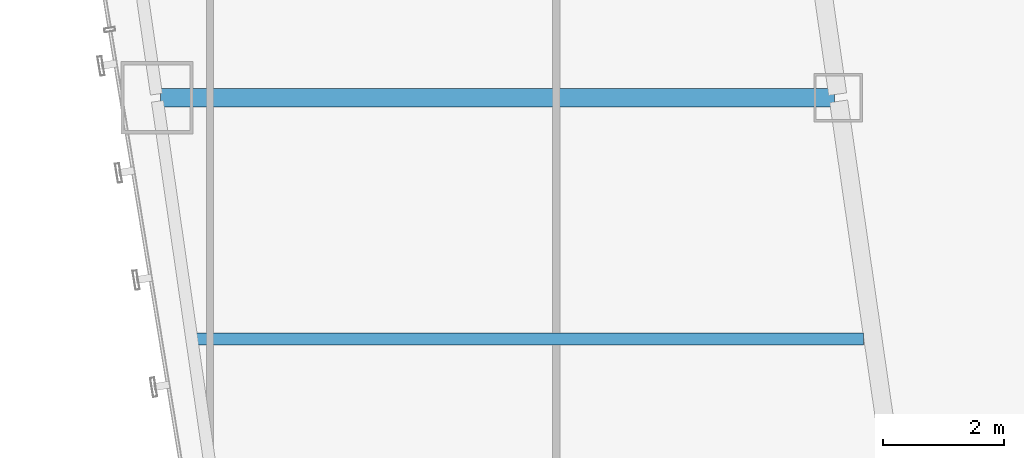
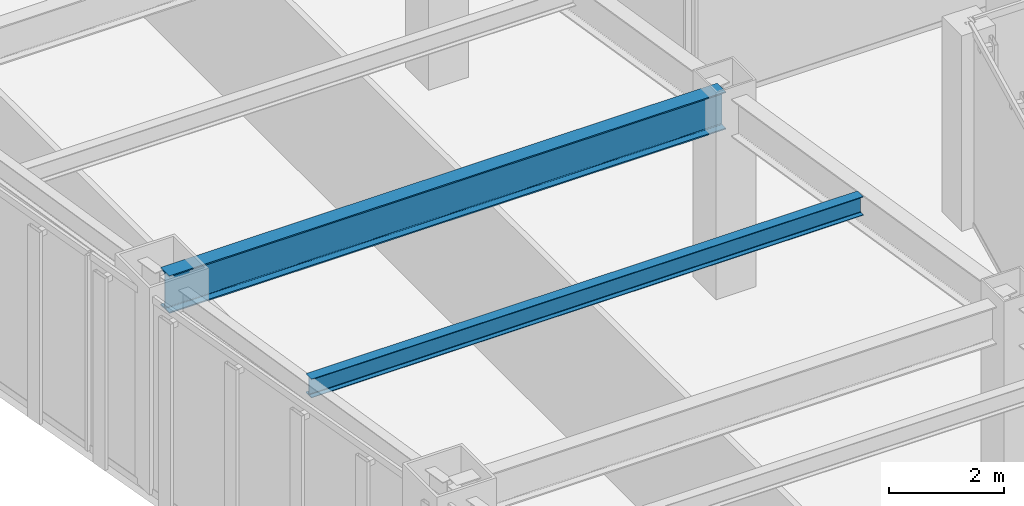
# One storey, part 6 of 47: 2 beams.
"""IFC4 building model written with IfcOpenShell, lengths in metres."""

import ifcopenshell
import ifcopenshell.guid

model = None  # the IFC model being written
_history = None  # IfcOwnerHistory: only IFC2X3 demands one
_inside = {}  # id of a spatial element -> (the spatial element, [elements in it])
_under = {}  # id of a project, library or spatial element -> (it, [spatial elements below it])
_declared = {}  # id of a project -> (the project, [libraries it declares])
_typed = {}  # id of a type object -> (the type object, [elements of that type])
_made_of = {}  # id of a material, layer set ... -> (it, [elements and type objects made of it])


def new_model(schema):
    """Start an empty IFC model of exactly this schema.

    Asked for "IFC4X3", IfcOpenShell would pick the latest addendum, in which some entities
    have other attributes; the version numbers below select the first issue.
    IFC2X3 requires an IfcOwnerHistory on every rooted entity: one is made here for all.
    """
    global model, _history
    if schema == "IFC4X3":
        model = ifcopenshell.file(schema_version=(4, 3, 0, 0))
    else:
        model = ifcopenshell.file(schema=schema)
    _inside.clear()
    _under.clear()
    _declared.clear()
    _typed.clear()
    _made_of.clear()
    _history = None
    if model.schema == "IFC2X3":
        org = make("IfcOrganization", Name="unknown")
        user = make(
            "IfcPersonAndOrganization",
            ThePerson=make("IfcPerson", FamilyName="unknown"),
            TheOrganization=org,
        )
        app = make(
            "IfcApplication",
            ApplicationDeveloper=org,
            Version="unknown",
            ApplicationFullName="unknown",
            ApplicationIdentifier="unknown",
        )
        _history = make(
            "IfcOwnerHistory",
            OwningUser=user,
            OwningApplication=app,
            ChangeAction="ADDED",
            CreationDate=0,
        )
    return model


def make(cls, **values):
    """One entity of the class cls with the attributes given. An attribute that is None is left unset."""
    return model.create_entity(
        cls, **{name: value for name, value in values.items() if value is not None}
    )


def rooted(cls, **values):
    """An entity with a GlobalId (a new one), such as an element, a storey or a relation."""
    return make(cls, GlobalId=ifcopenshell.guid.new(), OwnerHistory=_history, **values)


def si_unit(unit_type, name, prefix=None):
    """IfcSIUnit, for example si_unit("LENGTHUNIT", "METRE", prefix="MILLI")."""
    return make("IfcSIUnit", UnitType=unit_type, Prefix=prefix, Name=name)


def assignment(units):
    """IfcUnitAssignment: the units of a project."""
    return None if units is None else make("IfcUnitAssignment", Units=units)


def point(xyz):
    """IfcCartesianPoint."""
    return None if xyz is None else make("IfcCartesianPoint", Coordinates=xyz)


def direction(xyz):
    """IfcDirection."""
    return None if xyz is None else make("IfcDirection", DirectionRatios=xyz)


def frame(location, z_axis=None, x_axis=None):
    """IfcAxis2Placement3D, a coordinate frame: its origin and axes. An axis left out is left unset."""
    return make(
        "IfcAxis2Placement3D",
        Location=point(location),
        Axis=direction(z_axis),
        RefDirection=direction(x_axis),
    )


def frame_2d(location, x_axis=None):
    """IfcAxis2Placement2D, a coordinate frame in the plane: its origin and x axis."""
    return make(
        "IfcAxis2Placement2D", Location=point(location), RefDirection=direction(x_axis)
    )


def origin():
    """The frame at (0, 0, 0) with its axes left unset."""
    return frame((0.0, 0.0, 0.0))


def origin_2d():
    """The frame at (0, 0) in the plane with its x axis left unset."""
    return frame_2d((0.0, 0.0))


def place(relative_to, where):
    """IfcLocalPlacement: puts the frame where relative to a parent placement (None: the world)."""
    return make(
        "IfcLocalPlacement", PlacementRelTo=relative_to, RelativePlacement=where
    )


def context(
    kind, dimensions, precision=None, world=None, true_north=None, identifier=None
):
    """IfcGeometricRepresentationContext, for example the 3D "Model" context."""
    return make(
        "IfcGeometricRepresentationContext",
        ContextIdentifier=identifier,
        ContextType=kind,
        CoordinateSpaceDimension=dimensions,
        Precision=precision,
        WorldCoordinateSystem=world,
        TrueNorth=true_north,
    )


def subcontext(parent, identifier, kind, view, scale=None):
    """IfcGeometricRepresentationSubContext, for example "Body" below "Model"."""
    return make(
        "IfcGeometricRepresentationSubContext",
        ContextIdentifier=identifier,
        ContextType=kind,
        ParentContext=parent,
        TargetScale=scale,
        TargetView=view,
    )


def project(units=None, contexts=None):
    """IfcProject with its units and contexts."""
    return rooted(
        "IfcProject",
        Name="project",
        RepresentationContexts=contexts,
        UnitsInContext=assignment(units),
    )


def spatial(cls, under=None, at=None, **own):
    """A site, building, storey or space (cls), placed at a placement, below another one or the project."""
    s = rooted(cls, ObjectPlacement=at, **own)
    if under is not None:
        _under.setdefault(under.id(), (under, []))[1].append(s)
    return s


def profile(cls, at=None, kind="AREA", **sizes):
    """A parametric profile (cls). Its sizes go by their IFC names, for example OverallWidth=200.0."""
    return make(cls, ProfileType=kind, Position=at, **sizes)


def i_section(**sizes):
    """IfcIShapeProfileDef."""
    return profile("IfcIShapeProfileDef", **sizes)


def extrude(swept, where, along, depth):
    """IfcExtrudedAreaSolid: the profile swept, set in the frame where, extruded along a direction by depth."""
    return make(
        "IfcExtrudedAreaSolid",
        SweptArea=swept,
        Position=where,
        ExtrudedDirection=direction(along),
        Depth=depth,
    )


def shape(context_of_items, identifier, shape_type, items):
    """IfcShapeRepresentation: the items that make up one representation, for example the "Body"."""
    return make(
        "IfcShapeRepresentation",
        ContextOfItems=context_of_items,
        RepresentationIdentifier=identifier,
        RepresentationType=shape_type,
        Items=items,
    )


def material(Name=None, Category=None):
    """IfcMaterial."""
    return make("IfcMaterial", Name=Name, Category=Category)


def material_profile(
    of_material, cross_section, Name=None, Category=None, Priority=None
):
    """IfcMaterialProfile: a cross section and its material."""
    return make(
        "IfcMaterialProfile",
        Name=Name,
        Material=of_material,
        Profile=cross_section,
        Priority=Priority,
        Category=Category,
    )


def profile_set(profiles, Name=None, composite=None):
    """IfcMaterialProfileSet."""
    return make(
        "IfcMaterialProfileSet",
        Name=Name,
        MaterialProfiles=profiles,
        CompositeProfile=composite,
    )


def made_of(thing, what):
    """Note that an element or type object is made of a material, layer set ...; save() writes the relation."""
    if what is not None:
        _made_of.setdefault(what.id(), (what, []))[1].append(thing)
    return thing


def type_object(cls, material=None, **own):
    """A type object (cls), such as IfcWallType, which elements share."""
    return made_of(rooted(cls, **own), material)


def element(
    cls,
    number,
    at=None,
    inside=None,
    cuts=None,
    type_object=None,
    material=None,
    context=None,
    identifier="Body",
    shape_type=None,
    held_by="IfcProductDefinitionShape",
    body=None,
    shapes=None,
    **own,
):
    """One element of the class cls, such as IfcWall. Its Tag is "e" and its number.

    at: its placement. inside: the storey or other place that contains it. cuts: it is an
    opening in that element (IfcRelVoidsElement). A single representation is given by context,
    identifier, shape_type and body (its items); several are given by shapes. held_by: the class
    of the entity that holds the representations. save() writes the other relations.
    """
    e = rooted(cls, Tag="e%d" % number, ObjectPlacement=at, **own)
    if body is not None:
        shapes = [shape(context, identifier, shape_type, body)]
    if shapes is not None:
        e.Representation = make(held_by, Representations=shapes)
    if inside is not None:
        _inside.setdefault(inside.id(), (inside, []))[1].append(e)
    if cuts is not None:
        rooted(
            "IfcRelVoidsElement", RelatingBuildingElement=cuts, RelatedOpeningElement=e
        )
    if type_object is not None:
        _typed.setdefault(type_object.id(), (type_object, []))[1].append(e)
    return made_of(e, material)


def aggregate(whole, parts):
    """IfcRelAggregates: a whole, such as a stair, and the parts it consists of."""
    return rooted("IfcRelAggregates", RelatingObject=whole, RelatedObjects=parts)


def save(model, path):
    """Write the relations noted so far, then the file.

    IfcRelAggregates (storeys below a building ...), IfcRelContainedInSpatialStructure (elements
    in a storey), IfcRelDefinesByType, IfcRelAssociatesMaterial and IfcRelDeclares: one each for
    every whole, place, type object, material and project.
    """
    for whole, parts in _under.values():
        aggregate(whole, parts)
    for where, things in _inside.values():
        rooted(
            "IfcRelContainedInSpatialStructure",
            RelatedElements=things,
            RelatingStructure=where,
        )
    for kind, things in _typed.values():
        rooted("IfcRelDefinesByType", RelatedObjects=things, RelatingType=kind)
    for what, things in _made_of.values():
        rooted("IfcRelAssociatesMaterial", RelatedObjects=things, RelatingMaterial=what)
    for by, libraries in _declared.values():
        rooted("IfcRelDeclares", RelatingContext=by, RelatedDefinitions=libraries)
    model.write(path)


model = new_model("IFC4")

# Units and contexts
model_context = context("Model", 3, precision=1e-05, world=origin(), true_north=direction((0.0, 1.0)))
body_context = subcontext(model_context, "Body", "Model", "MODEL_VIEW")
ifc_project = project(units=[si_unit("LENGTHUNIT", "METRE"), si_unit("AREAUNIT", "SQUARE_METRE"), si_unit("VOLUMEUNIT", "CUBIC_METRE"), si_unit("PLANEANGLEUNIT", "RADIAN"), si_unit("MASSUNIT", "GRAM", prefix="KILO")], contexts=[model_context])

# Site, building, storey
site_placement = place(None, origin())
site = spatial("IfcSite", under=ifc_project, at=site_placement, CompositionType="ELEMENT")
building_placement = place(site_placement, origin())
building = spatial("IfcBuilding", under=site, at=building_placement, Name="Saevonmaru Cultural Tower", CompositionType="ELEMENT")
storey_placement = place(building_placement, frame((0.0, 0.0, 92.800048828125)))
storey = spatial("IfcBuildingStorey", under=building, at=storey_placement, Name="L19", CompositionType="ELEMENT", Elevation=92.800048828125)

# Beams
ifc_material_1 = material(Name="Steel SM420", Category="steel")
ifc_material_profile_1 = material_profile(ifc_material_1, i_section(OverallWidth=0.300048828125, OverallDepth=0.800048828125, WebThickness=0.013916015625, FlangeThickness=0.02587890625, FilletRadius=0.028076171875, at=origin_2d()), Name="H-800x300x14x26")
ifc_profile_set_1 = profile_set([ifc_material_profile_1], Name="Steel SM420")
beam_type_1 = type_object("IfcBeamType", Name="BM-G-H800", PredefinedType="BEAM", material=ifc_profile_set_1)
beam_1_placement = place(storey_placement, frame((10.68798828125, 16.0, 3.75), z_axis=(1.0, 0.0, 0.0), x_axis=(0.0, 1.0, 0.0)))
element("IfcBeam", 1, at=beam_1_placement, inside=storey, type_object=beam_type_1, Name="L19 West Wing Transverse Girder 3", PredefinedType="BEAM", context=body_context, shape_type="SweptSolid", body=[
    extrude(i_section(OverallWidth=0.300048828125, OverallDepth=0.800048828125, WebThickness=0.013916015625, FlangeThickness=0.02587890625, FilletRadius=0.028076171875, at=origin_2d()), origin(), (0.0, 0.0, 1.0), 11.179931640625),
])
ifc_material_2 = material(Name="Steel SM355", Category="steel")
ifc_material_profile_2 = material_profile(ifc_material_2, i_section(OverallWidth=0.199951171875, OverallDepth=0.39990234375, WebThickness=0.008056640625, FlangeThickness=0.012939453125, FilletRadius=0.01611328125, at=origin_2d()), Name="H-400x200x8x13")
ifc_profile_set_2 = profile_set([ifc_material_profile_2], Name="Steel SM355")
beam_type_2 = type_object("IfcBeamType", Name="BM-J-H400", PredefinedType="JOIST", material=ifc_profile_set_2)
beam_2_placement = place(storey_placement, frame((11.265380859375, 12.0, 3.949951171875), z_axis=(1.0, 0.0, 0.0), x_axis=(0.0, 1.0, 0.0)))
element("IfcBeam", 2, at=beam_2_placement, inside=storey, type_object=beam_type_2, Name="L19 West Wing Floor Joist 2", PredefinedType="JOIST", context=body_context, shape_type="SweptSolid", body=[
    extrude(i_section(OverallWidth=0.199951171875, OverallDepth=0.39990234375, WebThickness=0.008056640625, FlangeThickness=0.012939453125, FilletRadius=0.01611328125, at=origin_2d()), origin(), (0.0, 0.0, 1.0), 11.08203125),
])

save(model, "model.ifc")
